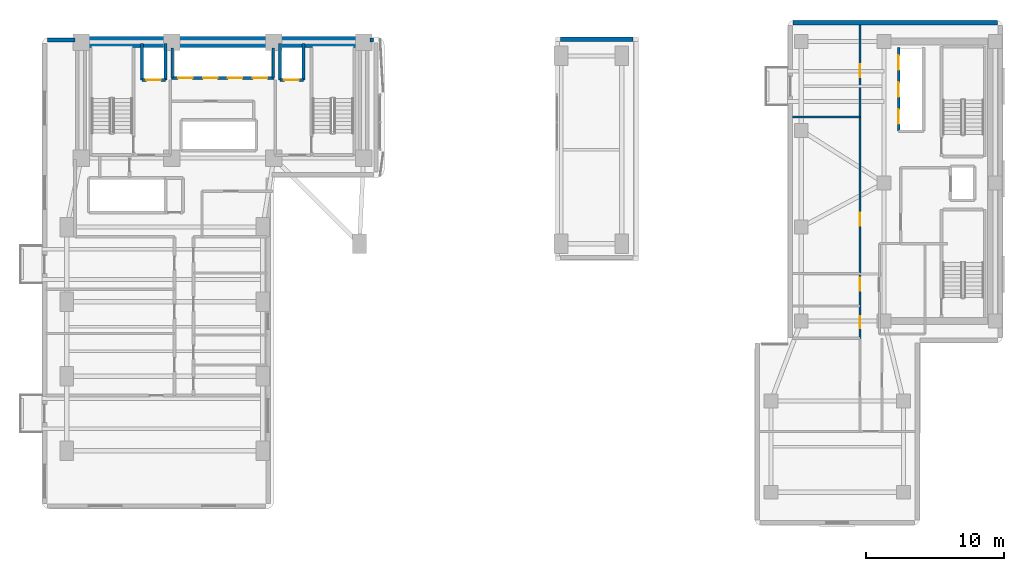
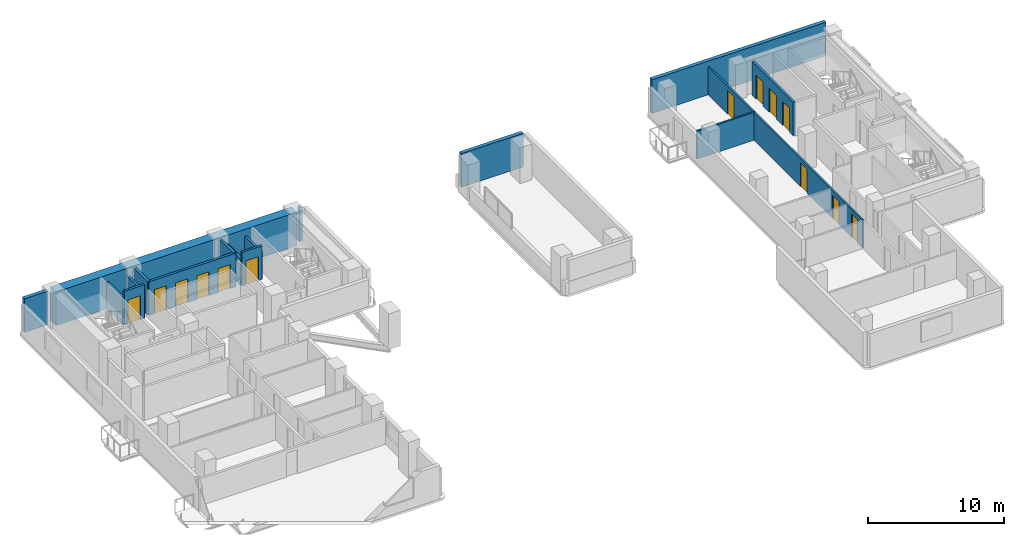
# One storey, part 8 of 12: 17 walls, 13 doors, 13 openings.
"""IFC4 building model written with IfcOpenShell, lengths in metres."""

from ifc_helpers import new_model, si_unit, direction, frame, frame_2d, origin, place, context, subcontext, project, spatial, rectangle, extrude, material, layer, layer_set, type_object, element, fill, save


model = new_model("IFC4")

# Units and contexts
model_context = context("Model", 3, precision=1e-05, world=origin(), true_north=direction((0.0, 1.0)))
body_context = subcontext(model_context, "Body", "Model", "MODEL_VIEW")
ifc_project = project(units=[si_unit("LENGTHUNIT", "METRE"), si_unit("AREAUNIT", "SQUARE_METRE"), si_unit("VOLUMEUNIT", "CUBIC_METRE"), si_unit("PLANEANGLEUNIT", "RADIAN"), si_unit("MASSUNIT", "GRAM", prefix="KILO")], contexts=[model_context])

# Site, building, storey
site_placement = place(None, origin())
site = spatial("IfcSite", under=ifc_project, at=site_placement, CompositionType="ELEMENT")
building_placement = place(site_placement, origin())
building = spatial("IfcBuilding", under=site, at=building_placement, Name="Kuzgunbayir Cultural Tower", CompositionType="ELEMENT")
storey_placement = place(building_placement, frame((0.0, 0.0, 30.199951171875)))
storey = spatial("IfcBuildingStorey", under=building, at=storey_placement, Name="L07", CompositionType="ELEMENT", Elevation=30.199951171875)

# Walls
ifc_material_1 = material(Name="Concrete C60/75", Category="concrete")
ifc_layer_1 = layer(ifc_material_1, 0.800048828125)
ifc_layer_set_1 = layer_set([ifc_layer_1], Name="Concrete C60/75")
wall_type_1 = type_object("IfcWallType", Name="WAL-CORE-800", PredefinedType="SHEAR", material=ifc_layer_set_1)
wall_1_placement = place(storey_placement, frame((6.449951171875, 42.199951171875, 0.0), z_axis=(0.0, 0.0, 1.0), x_axis=(1.0, 0.0, 0.0)))
element("IfcWall", 1, at=wall_1_placement, inside=storey, type_object=wall_type_1, Name="L07 T1 Core North Shear Wall", PredefinedType="SHEAR", context=body_context, shape_type="SweptSolid", body=[
    extrude(rectangle(XDim=20.449951171875, YDim=0.800048828125, at=frame_2d((10.22509765625, 0.0))), origin(), (0.0, 0.0, 1.0), 3.02001953125),
])
ifc_material_2 = material(Name="Travertine Buff Ashlar", Category="masonry")
ifc_layer_2 = layer(ifc_material_2, 0.320068359375)
ifc_layer_set_2 = layer_set([ifc_layer_2], Name="Travertine Buff Ashlar")
wall_type_2 = type_object("IfcWallType", Name="WAL-EXT-STONE-320", PredefinedType="STANDARD", material=ifc_layer_set_2)
wall_2_placement = place(storey_placement, frame((27.60009765625, 42.35009765625, 0.0), z_axis=(0.0, 0.0, 1.0), x_axis=(-1.0, 0.0, 0.0)))
element("IfcWall", 2, at=wall_2_placement, inside=storey, type_object=wall_type_2, Name="L07 North Wing B Limestone Wall", PredefinedType="STANDARD", context=body_context, shape_type="SweptSolid", body=[
    extrude(rectangle(XDim=0.25, YDim=0.320068359375, at=frame_2d((0.125, 0.0))), origin(), (0.0, 0.0, 1.0), 3.02001953125),
])
wall_3_placement = place(storey_placement, frame((6.0, 42.35009765625, 0.0), z_axis=(0.0, 0.0, 1.0), x_axis=(-1.0, 0.0, 0.0)))
element("IfcWall", 3, at=wall_3_placement, inside=storey, type_object=wall_type_2, Name="L07 Core North-West Spandrel Link", PredefinedType="STANDARD", context=body_context, shape_type="SweptSolid", body=[
    extrude(rectangle(XDim=2.0, YDim=0.320068359375, at=frame_2d((1.0, 0.0))), origin(), (0.0, 0.0, 1.0), 3.02001953125),
])
wall_4_placement = place(storey_placement, frame((46.39990234375, 42.39990234375, 0.0), z_axis=(0.0, 0.0, 1.0), x_axis=(-1.0, 0.0, 0.0)))
element("IfcWall", 4, at=wall_4_placement, inside=storey, type_object=wall_type_2, Name="L07 Portal Pier North Wall", PredefinedType="STANDARD", context=body_context, shape_type="SweptSolid", body=[
    extrude(rectangle(XDim=5.25, YDim=0.320068359375, at=frame_2d((2.625, 0.0))), origin(), (0.0, 0.0, 1.0), 3.02001953125),
])
wall_5_placement = place(storey_placement, frame((72.800048828125, 43.60009765625, 0.0), z_axis=(0.0, 0.0, 1.0), x_axis=(-1.0, 0.0, 0.0)))
element("IfcWall", 5, at=wall_5_placement, inside=storey, type_object=wall_type_2, Name="L07 Companion North Limestone Wall", PredefinedType="STANDARD", context=body_context, shape_type="SweptSolid", body=[
    extrude(rectangle(XDim=14.800048828125, YDim=0.320068359375, at=frame_2d((7.39990234375, 0.0))), origin(), (0.0, 0.0, 1.0), 3.02001953125),
])

# Wall, openings, doors
ifc_material_3 = material(Name="Acoustic Double-Stud Drywall", Category="gypsum")
ifc_layer_3 = layer(ifc_material_3, 0.14990234375)
ifc_layer_set_3 = layer_set([ifc_layer_3], Name="Acoustic Double-Stud Drywall")
wall_type_3 = type_object("IfcWallType", Name="WAL-PART-ACOUSTIC-150", PredefinedType="PARTITIONING", material=ifc_layer_set_3)
wall_6_placement = place(storey_placement, frame((62.85009765625, 20.75, 0.0), z_axis=(0.0, 0.0, 1.0), x_axis=(0.0, 1.0, 0.0)))
wall_6 = element("IfcWall", 6, at=wall_6_placement, inside=storey, type_object=wall_type_3, Name="L07 Companion Corridor West Wall", PredefinedType="PARTITIONING", context=body_context, shape_type="SweptSolid", body=[
    extrude(rectangle(XDim=22.699951171875, YDim=0.14990234375, at=frame_2d((11.35009765625, 0.0))), origin(), (0.0, 0.0, 1.0), 2.5),
])
opening_1_placement = place(wall_6_placement, frame((0.72998046875, 0.0, 0.0)))
opening_1 = element("IfcOpeningElement", 7, at=opening_1_placement, cuts=wall_6, Name="Opening DW-85", PredefinedType="OPENING", context=body_context, shape_type="SweptSolid", body=[
    extrude(rectangle(XDim=0.85009765625, YDim=2.10009765625, at=frame_2d((0.425048828125, 1.050048828125))), frame((0.0, 0.0849609375, 0.0), z_axis=(0.0, -1.0, 0.0), x_axis=(1.0, 0.0, 0.0)), (0.0, 0.0, 1.0), 0.169921875),
])
opening_2_placement = place(wall_6_placement, frame((3.429931640625, 0.0, 0.0)))
opening_2 = element("IfcOpeningElement", 8, at=opening_2_placement, cuts=wall_6, Name="Opening DW-95", PredefinedType="OPENING", context=body_context, shape_type="SweptSolid", body=[
    extrude(rectangle(XDim=0.949951171875, YDim=2.10009765625, at=frame_2d((0.47509765625, 1.050048828125))), frame((0.0, 0.0849609375, 0.0), z_axis=(0.0, -1.0, 0.0), x_axis=(1.0, 0.0, 0.0)), (0.0, 0.0, 1.0), 0.169921875),
])
opening_3_placement = place(wall_6_placement, frame((8.14990234375, 0.0, 0.0)))
opening_3 = element("IfcOpeningElement", 9, at=opening_3_placement, cuts=wall_6, Name="Opening DI-90", PredefinedType="OPENING", context=body_context, shape_type="SweptSolid", body=[
    extrude(rectangle(XDim=0.949951171875, YDim=2.14990234375, at=frame_2d((0.47509765625, 1.074951171875))), frame((0.0, 0.0849609375, 0.0), z_axis=(0.0, -1.0, 0.0), x_axis=(1.0, 0.0, 0.0)), (0.0, 0.0, 1.0), 0.169921875),
])
opening_4_placement = place(wall_6_placement, frame((18.889892578125, 0.0, 0.0)))
opening_4 = element("IfcOpeningElement", 10, at=opening_4_placement, cuts=wall_6, Name="Opening DI-90", PredefinedType="OPENING", context=body_context, shape_type="SweptSolid", body=[
    extrude(rectangle(XDim=0.949951171875, YDim=2.14990234375, at=frame_2d((0.47509765625, 1.074951171875))), frame((0.0, 0.0849609375, 0.0), z_axis=(0.0, -1.0, 0.0), x_axis=(1.0, 0.0, 0.0)), (0.0, 0.0, 1.0), 0.169921875),
])
ifc_material_4 = material(Name="Veneered Oak Single Leaf", Category="wood")
door_type_1 = type_object("IfcDoorType", Name="DR-INT-90", OperationType="NOTDEFINED", PredefinedType="DOOR", material=ifc_material_4)
door_1_placement = place(opening_3_placement, origin())
door_1 = element("IfcDoor", 11, at=door_1_placement, inside=storey, type_object=door_type_1, Name="L07 Companion Seminar Boardroom 1 Door", OperationType="SINGLE_SWING_LEFT", OverallHeight=2.14990234375, OverallWidth=0.949951171875, PredefinedType="DOOR", context=body_context, shape_type="SweptSolid", body=[
    extrude(rectangle(XDim=0.949951171875, YDim=2.14990234375, at=frame_2d((0.47509765625, 1.074951171875))), frame((0.0, 0.02490234375, 0.0), z_axis=(0.0, -1.0, 0.0), x_axis=(1.0, 0.0, 0.0)), (0.0, 0.0, 1.0), 0.050048828125),
])
fill(opening_3, door_1)
door_2_placement = place(opening_4_placement, origin())
door_2 = element("IfcDoor", 12, at=door_2_placement, inside=storey, type_object=door_type_1, Name="L07 Companion Culinary Tasting Pantry 2 Door", OperationType="SINGLE_SWING_RIGHT", OverallHeight=2.14990234375, OverallWidth=0.949951171875, PredefinedType="DOOR", context=body_context, shape_type="SweptSolid", body=[
    extrude(rectangle(XDim=0.949951171875, YDim=2.14990234375, at=frame_2d((0.47509765625, 1.074951171875))), frame((0.0, 0.02490234375, 0.0), z_axis=(0.0, -1.0, 0.0), x_axis=(1.0, 0.0, 0.0)), (0.0, 0.0, 1.0), 0.050048828125),
])
fill(opening_4, door_2)
ifc_material_5 = material(Name="Laminate Moisture-Resistant Leaf", Category="wood")
door_type_2 = type_object("IfcDoorType", Name="DR-WET-85", OperationType="NOTDEFINED", PredefinedType="DOOR", material=ifc_material_5)
door_3_placement = place(opening_1_placement, origin())
door_3 = element("IfcDoor", 13, at=door_3_placement, inside=storey, type_object=door_type_2, Name="L07 Companion WC Door", OperationType="SINGLE_SWING_LEFT", OverallHeight=2.10009765625, OverallWidth=0.85009765625, PredefinedType="DOOR", context=body_context, shape_type="SweptSolid", body=[
    extrude(rectangle(XDim=0.85009765625, YDim=2.10009765625, at=frame_2d((0.425048828125, 1.050048828125))), frame((0.0, 0.02490234375, 0.0), z_axis=(0.0, -1.0, 0.0), x_axis=(1.0, 0.0, 0.0)), (0.0, 0.0, 1.0), 0.050048828125),
])
fill(opening_1, door_3)
door_type_3 = type_object("IfcDoorType", Name="DR-WET-95", OperationType="NOTDEFINED", PredefinedType="DOOR", material=ifc_material_5)
door_4_placement = place(opening_2_placement, origin())
door_4 = element("IfcDoor", 14, at=door_4_placement, inside=storey, type_object=door_type_3, Name="L07 Companion Accessible WC Door", OperationType="SINGLE_SWING_RIGHT", OverallHeight=2.10009765625, OverallWidth=0.949951171875, PredefinedType="DOOR", context=body_context, shape_type="SweptSolid", body=[
    extrude(rectangle(XDim=0.949951171875, YDim=2.10009765625, at=frame_2d((0.47509765625, 1.050048828125))), frame((0.0, 0.02490234375, 0.0), z_axis=(0.0, -1.0, 0.0), x_axis=(1.0, 0.0, 0.0)), (0.0, 0.0, 1.0), 0.050048828125),
])
fill(opening_2, door_4)

# Wall
wall_7_placement = place(storey_placement, frame((57.949951171875, 36.7900390625, 0.0), z_axis=(0.0, 0.0, 1.0), x_axis=(1.0, 0.0, 0.0)))
element("IfcWall", 15, at=wall_7_placement, inside=storey, type_object=wall_type_3, Name="L07 Companion Studio Partition 1", PredefinedType="PARTITIONING", context=body_context, shape_type="SweptSolid", body=[
    extrude(rectangle(XDim=4.900146484375, YDim=0.14990234375, at=frame_2d((2.4501953125, 0.0))), origin(), (0.0, 0.0, 1.0), 2.5),
])

# Wall, opening, door
ifc_material_6 = material(Name="Concrete C40/50", Category="concrete")
ifc_layer_4 = layer(ifc_material_6, 0.199951171875)
ifc_layer_set_4 = layer_set([ifc_layer_4], Name="Concrete C40/50")
wall_type_4 = type_object("IfcWallType", Name="WAL-SHAFT-200", PredefinedType="MOVABLE", material=ifc_layer_set_4)
wall_8_placement = place(storey_placement, frame((10.85009765625, 39.449951171875, 0.0), z_axis=(0.0, 0.0, 1.0), x_axis=(1.0, 0.0, 0.0)))
wall_8 = element("IfcWall", 16, at=wall_8_placement, inside=storey, type_object=wall_type_4, Name="L07 FFL-1 Lift Front Wall", PredefinedType="MOVABLE", context=body_context, shape_type="SweptSolid", body=[
    extrude(rectangle(XDim=1.699951171875, YDim=0.199951171875, at=frame_2d((0.85009765625, 0.0))), origin(), (0.0, 0.0, 1.0), 3.02001953125),
])
opening_5_placement = place(wall_8_placement, frame((0.320068359375, 0.0, 0.0)))
opening_5 = element("IfcOpeningElement", 17, at=opening_5_placement, cuts=wall_8, Name="Opening LD", PredefinedType="OPENING", context=body_context, shape_type="SweptSolid", body=[
    extrude(rectangle(XDim=1.050048828125, YDim=2.14990234375, at=frame_2d((0.52490234375, 1.074951171875))), frame((0.0, 0.10986328125, 0.0), z_axis=(0.0, -1.0, 0.0), x_axis=(1.0, 0.0, 0.0)), (0.0, 0.0, 1.0), 0.219970703125),
])
ifc_material_7 = material(Name="Brushed Stainless Steel", Category="steel")
door_type_4 = type_object("IfcDoorType", Name="DR-LIFT-LANDING", OperationType="SLIDING_TO_LEFT", PredefinedType="DOOR", material=ifc_material_7)
door_5_placement = place(opening_5_placement, origin())
door_5 = element("IfcDoor", 18, at=door_5_placement, inside=storey, type_object=door_type_4, Name="L07 Lift FFL-1 Landing Door", OperationType="SLIDING_TO_LEFT", OverallHeight=2.14990234375, OverallWidth=1.050048828125, PredefinedType="DOOR", context=body_context, shape_type="SweptSolid", body=[
    extrude(rectangle(XDim=1.050048828125, YDim=2.14990234375, at=frame_2d((0.52490234375, 1.074951171875))), frame((0.0, 0.02490234375, 0.0), z_axis=(0.0, -1.0, 0.0), x_axis=(1.0, 0.0, 0.0)), (0.0, 0.0, 1.0), 0.050048828125),
])
fill(opening_5, door_5)

wall_9_placement = place(storey_placement, frame((20.85009765625, 39.449951171875, 0.0), z_axis=(0.0, 0.0, 1.0), x_axis=(1.0, 0.0, 0.0)))
wall_9 = element("IfcWall", 19, at=wall_9_placement, inside=storey, type_object=wall_type_4, Name="L07 FFL-2 Lift Front Wall", PredefinedType="MOVABLE", context=body_context, shape_type="SweptSolid", body=[
    extrude(rectangle(XDim=1.699951171875, YDim=0.199951171875, at=frame_2d((0.85009765625, 0.0))), origin(), (0.0, 0.0, 1.0), 3.02001953125),
])
opening_6_placement = place(wall_9_placement, frame((0.320068359375, 0.0, 0.0)))
opening_6 = element("IfcOpeningElement", 20, at=opening_6_placement, cuts=wall_9, Name="Opening LD", PredefinedType="OPENING", context=body_context, shape_type="SweptSolid", body=[
    extrude(rectangle(XDim=1.050048828125, YDim=2.14990234375, at=frame_2d((0.52490234375, 1.074951171875))), frame((0.0, 0.10986328125, 0.0), z_axis=(0.0, -1.0, 0.0), x_axis=(1.0, 0.0, 0.0)), (0.0, 0.0, 1.0), 0.219970703125),
])
door_6_placement = place(opening_6_placement, origin())
door_6 = element("IfcDoor", 21, at=door_6_placement, inside=storey, type_object=door_type_4, Name="L07 Lift FFL-2 Landing Door", OperationType="SLIDING_TO_LEFT", OverallHeight=2.14990234375, OverallWidth=1.050048828125, PredefinedType="DOOR", context=body_context, shape_type="SweptSolid", body=[
    extrude(rectangle(XDim=1.050048828125, YDim=2.14990234375, at=frame_2d((0.52490234375, 1.074951171875))), frame((0.0, 0.02490234375, 0.0), z_axis=(0.0, -1.0, 0.0), x_axis=(1.0, 0.0, 0.0)), (0.0, 0.0, 1.0), 0.050048828125),
])
fill(opening_6, door_6)

# Walls
for number, where, z_axis, x_axis, name in (
    (22, (10.85009765625, 39.449951171875, 0.0), (0.0, 0.0, 1.0), (0.0, 1.0, 0.0), "L07 FFL-1 Shaft West Wall"),
    (23, (12.550048828125, 39.449951171875, 0.0), (0.0, 0.0, 1.0), (0.0, 1.0, 0.0), "L07 FFL-1 Shaft East Wall"),
    (24, (20.85009765625, 39.449951171875, 0.0), (0.0, 0.0, 1.0), (0.0, 1.0, 0.0), "L07 FFL-2 Shaft West Wall"),
    (25, (22.550048828125, 39.449951171875, 0.0), (0.0, 0.0, 1.0), (0.0, 1.0, 0.0), "L07 FFL-2 Shaft East Wall"),
):
    element("IfcWall", number, at=place(storey_placement, frame(where, z_axis=z_axis, x_axis=x_axis)), inside=storey, type_object=wall_type_4, Name=name, PredefinedType="MOVABLE", context=body_context, shape_type="SweptSolid", body=[
        extrude(rectangle(XDim=2.650146484375, YDim=0.199951171875, at=frame_2d((1.3251953125, 0.0))), origin(), (0.0, 0.0, 1.0), 2.41015625),
    ])

# Wall, openings, doors
wall_10_placement = place(storey_placement, frame((13.0, 39.60009765625, 0.0), z_axis=(0.0, 0.0, 1.0), x_axis=(1.0, 0.0, 0.0)))
wall_10 = element("IfcWall", 26, at=wall_10_placement, inside=storey, type_object=wall_type_4, Name="L07 Low-Rise Lift Front Wall", PredefinedType="MOVABLE", context=body_context, shape_type="SweptSolid", body=[
    extrude(rectangle(XDim=7.39990234375, YDim=0.199951171875, at=frame_2d((3.699951171875, 0.0))), origin(), (0.0, 0.0, 1.0), 3.02001953125),
])
opening_7_placement = place(wall_10_placement, frame((0.469970703125, 0.0, 0.0)))
opening_7 = element("IfcOpeningElement", 27, at=opening_7_placement, cuts=wall_10, Name="Opening LD", PredefinedType="OPENING", context=body_context, shape_type="SweptSolid", body=[
    extrude(rectangle(XDim=1.050048828125, YDim=2.14990234375, at=frame_2d((0.52490234375, 1.074951171875))), frame((0.0, 0.10986328125, 0.0), z_axis=(0.0, -1.0, 0.0), x_axis=(1.0, 0.0, 0.0)), (0.0, 0.0, 1.0), 0.219970703125),
])
opening_8_placement = place(wall_10_placement, frame((2.280029296875, 0.0, 0.0)))
opening_8 = element("IfcOpeningElement", 28, at=opening_8_placement, cuts=wall_10, Name="Opening LD", PredefinedType="OPENING", context=body_context, shape_type="SweptSolid", body=[
    extrude(rectangle(XDim=1.050048828125, YDim=2.14990234375, at=frame_2d((0.52490234375, 1.074951171875))), frame((0.0, 0.10986328125, 0.0), z_axis=(0.0, -1.0, 0.0), x_axis=(1.0, 0.0, 0.0)), (0.0, 0.0, 1.0), 0.219970703125),
])
opening_9_placement = place(wall_10_placement, frame((4.080078125, 0.0, 0.0)))
opening_9 = element("IfcOpeningElement", 29, at=opening_9_placement, cuts=wall_10, Name="Opening LD", PredefinedType="OPENING", context=body_context, shape_type="SweptSolid", body=[
    extrude(rectangle(XDim=1.050048828125, YDim=2.14990234375, at=frame_2d((0.52490234375, 1.074951171875))), frame((0.0, 0.10986328125, 0.0), z_axis=(0.0, -1.0, 0.0), x_axis=(1.0, 0.0, 0.0)), (0.0, 0.0, 1.0), 0.219970703125),
])
opening_10_placement = place(wall_10_placement, frame((5.8798828125, 0.0, 0.0)))
opening_10 = element("IfcOpeningElement", 30, at=opening_10_placement, cuts=wall_10, Name="Opening LD", PredefinedType="OPENING", context=body_context, shape_type="SweptSolid", body=[
    extrude(rectangle(XDim=1.050048828125, YDim=2.14990234375, at=frame_2d((0.52490234375, 1.074951171875))), frame((0.0, 0.10986328125, 0.0), z_axis=(0.0, -1.0, 0.0), x_axis=(1.0, 0.0, 0.0)), (0.0, 0.0, 1.0), 0.219970703125),
])
door_7_placement = place(opening_7_placement, origin())
door_7 = element("IfcDoor", 31, at=door_7_placement, inside=storey, type_object=door_type_4, Name="L07 Lift PL-1 Landing Door", OperationType="SLIDING_TO_LEFT", OverallHeight=2.14990234375, OverallWidth=1.050048828125, PredefinedType="DOOR", context=body_context, shape_type="SweptSolid", body=[
    extrude(rectangle(XDim=1.050048828125, YDim=2.14990234375, at=frame_2d((0.52490234375, 1.074951171875))), frame((0.0, 0.02490234375, 0.0), z_axis=(0.0, -1.0, 0.0), x_axis=(1.0, 0.0, 0.0)), (0.0, 0.0, 1.0), 0.050048828125),
])
fill(opening_7, door_7)
door_8_placement = place(opening_8_placement, origin())
door_8 = element("IfcDoor", 32, at=door_8_placement, inside=storey, type_object=door_type_4, Name="L07 Lift PL-2 Landing Door", OperationType="SLIDING_TO_LEFT", OverallHeight=2.14990234375, OverallWidth=1.050048828125, PredefinedType="DOOR", context=body_context, shape_type="SweptSolid", body=[
    extrude(rectangle(XDim=1.050048828125, YDim=2.14990234375, at=frame_2d((0.52490234375, 1.074951171875))), frame((0.0, 0.02490234375, 0.0), z_axis=(0.0, -1.0, 0.0), x_axis=(1.0, 0.0, 0.0)), (0.0, 0.0, 1.0), 0.050048828125),
])
fill(opening_8, door_8)
door_9_placement = place(opening_9_placement, origin())
door_9 = element("IfcDoor", 33, at=door_9_placement, inside=storey, type_object=door_type_4, Name="L07 Lift PL-3 Landing Door", OperationType="SLIDING_TO_LEFT", OverallHeight=2.14990234375, OverallWidth=1.050048828125, PredefinedType="DOOR", context=body_context, shape_type="SweptSolid", body=[
    extrude(rectangle(XDim=1.050048828125, YDim=2.14990234375, at=frame_2d((0.52490234375, 1.074951171875))), frame((0.0, 0.02490234375, 0.0), z_axis=(0.0, -1.0, 0.0), x_axis=(1.0, 0.0, 0.0)), (0.0, 0.0, 1.0), 0.050048828125),
])
fill(opening_9, door_9)
door_10_placement = place(opening_10_placement, origin())
door_10 = element("IfcDoor", 34, at=door_10_placement, inside=storey, type_object=door_type_4, Name="L07 Lift PL-4 Landing Door", OperationType="SLIDING_TO_LEFT", OverallHeight=2.14990234375, OverallWidth=1.050048828125, PredefinedType="DOOR", context=body_context, shape_type="SweptSolid", body=[
    extrude(rectangle(XDim=1.050048828125, YDim=2.14990234375, at=frame_2d((0.52490234375, 1.074951171875))), frame((0.0, 0.02490234375, 0.0), z_axis=(0.0, -1.0, 0.0), x_axis=(1.0, 0.0, 0.0)), (0.0, 0.0, 1.0), 0.050048828125),
])
fill(opening_10, door_10)

# Walls
for number, where, z_axis, x_axis, name in (
    (35, (13.050048828125, 39.60009765625, 0.0), (0.0, 0.0, 1.0), (0.0, 1.0, 0.0), "L07 Low-Rise Lift Shaft West Wall"),
    (36, (20.35009765625, 39.60009765625, 0.0), (0.0, 0.0, 1.0), (0.0, 1.0, 0.0), "L07 Low-Rise Lift Shaft East Wall"),
):
    element("IfcWall", number, at=place(storey_placement, frame(where, z_axis=z_axis, x_axis=x_axis)), inside=storey, type_object=wall_type_4, Name=name, PredefinedType="MOVABLE", context=body_context, shape_type="SweptSolid", body=[
        extrude(rectangle(XDim=2.179931640625, YDim=0.199951171875, at=frame_2d((1.08984375, 0.0))), origin(), (0.0, 0.0, 1.0), 3.02001953125),
    ])

# Wall, openings, doors
wall_11_placement = place(storey_placement, frame((65.64990234375, 35.75, 0.0), z_axis=(0.0, 0.0, 1.0), x_axis=(0.0, 1.0, 0.0)))
wall_11 = element("IfcWall", 37, at=wall_11_placement, inside=storey, type_object=wall_type_4, Name="L07 Companion Lift Front Wall", PredefinedType="MOVABLE", context=body_context, shape_type="SweptSolid", body=[
    extrude(rectangle(XDim=6.050048828125, YDim=0.199951171875, at=frame_2d((3.02490234375, 0.0))), origin(), (0.0, 0.0, 1.0), 3.02001953125),
])
opening_11_placement = place(wall_11_placement, frame((0.52001953125, 0.0, 0.0)))
opening_11 = element("IfcOpeningElement", 38, at=opening_11_placement, cuts=wall_11, Name="Opening LD", PredefinedType="OPENING", context=body_context, shape_type="SweptSolid", body=[
    extrude(rectangle(XDim=1.050048828125, YDim=2.14990234375, at=frame_2d((0.52490234375, 1.074951171875))), frame((0.0, 0.10986328125, 0.0), z_axis=(0.0, -1.0, 0.0), x_axis=(1.0, 0.0, 0.0)), (0.0, 0.0, 1.0), 0.219970703125),
])
opening_12_placement = place(wall_11_placement, frame((2.47998046875, 0.0, 0.0)))
opening_12 = element("IfcOpeningElement", 39, at=opening_12_placement, cuts=wall_11, Name="Opening LD", PredefinedType="OPENING", context=body_context, shape_type="SweptSolid", body=[
    extrude(rectangle(XDim=1.050048828125, YDim=2.14990234375, at=frame_2d((0.52490234375, 1.074951171875))), frame((0.0, 0.10986328125, 0.0), z_axis=(0.0, -1.0, 0.0), x_axis=(1.0, 0.0, 0.0)), (0.0, 0.0, 1.0), 0.219970703125),
])
opening_13_placement = place(wall_11_placement, frame((4.429931640625, 0.0, 0.0)))
opening_13 = element("IfcOpeningElement", 40, at=opening_13_placement, cuts=wall_11, Name="Opening LD", PredefinedType="OPENING", context=body_context, shape_type="SweptSolid", body=[
    extrude(rectangle(XDim=1.050048828125, YDim=2.14990234375, at=frame_2d((0.52490234375, 1.074951171875))), frame((0.0, 0.10986328125, 0.0), z_axis=(0.0, -1.0, 0.0), x_axis=(1.0, 0.0, 0.0)), (0.0, 0.0, 1.0), 0.219970703125),
])
door_11_placement = place(opening_11_placement, origin())
door_11 = element("IfcDoor", 41, at=door_11_placement, inside=storey, type_object=door_type_4, Name="L07 Lift PC-1 Landing Door", OperationType="SLIDING_TO_LEFT", OverallHeight=2.14990234375, OverallWidth=1.050048828125, PredefinedType="DOOR", context=body_context, shape_type="SweptSolid", body=[
    extrude(rectangle(XDim=1.050048828125, YDim=2.14990234375, at=frame_2d((0.52490234375, 1.074951171875))), frame((0.0, 0.02490234375, 0.0), z_axis=(0.0, -1.0, 0.0), x_axis=(1.0, 0.0, 0.0)), (0.0, 0.0, 1.0), 0.050048828125),
])
fill(opening_11, door_11)
door_12_placement = place(opening_12_placement, origin())
door_12 = element("IfcDoor", 42, at=door_12_placement, inside=storey, type_object=door_type_4, Name="L07 Lift PC-2 Landing Door", OperationType="SLIDING_TO_LEFT", OverallHeight=2.14990234375, OverallWidth=1.050048828125, PredefinedType="DOOR", context=body_context, shape_type="SweptSolid", body=[
    extrude(rectangle(XDim=1.050048828125, YDim=2.14990234375, at=frame_2d((0.52490234375, 1.074951171875))), frame((0.0, 0.02490234375, 0.0), z_axis=(0.0, -1.0, 0.0), x_axis=(1.0, 0.0, 0.0)), (0.0, 0.0, 1.0), 0.050048828125),
])
fill(opening_12, door_12)
door_13_placement = place(opening_13_placement, origin())
door_13 = element("IfcDoor", 43, at=door_13_placement, inside=storey, type_object=door_type_4, Name="L07 Lift PC-3 Landing Door", OperationType="SLIDING_TO_LEFT", OverallHeight=2.14990234375, OverallWidth=1.050048828125, PredefinedType="DOOR", context=body_context, shape_type="SweptSolid", body=[
    extrude(rectangle(XDim=1.050048828125, YDim=2.14990234375, at=frame_2d((0.52490234375, 1.074951171875))), frame((0.0, 0.02490234375, 0.0), z_axis=(0.0, -1.0, 0.0), x_axis=(1.0, 0.0, 0.0)), (0.0, 0.0, 1.0), 0.050048828125),
])
fill(opening_13, door_13)

save(model, "model.ifc")
